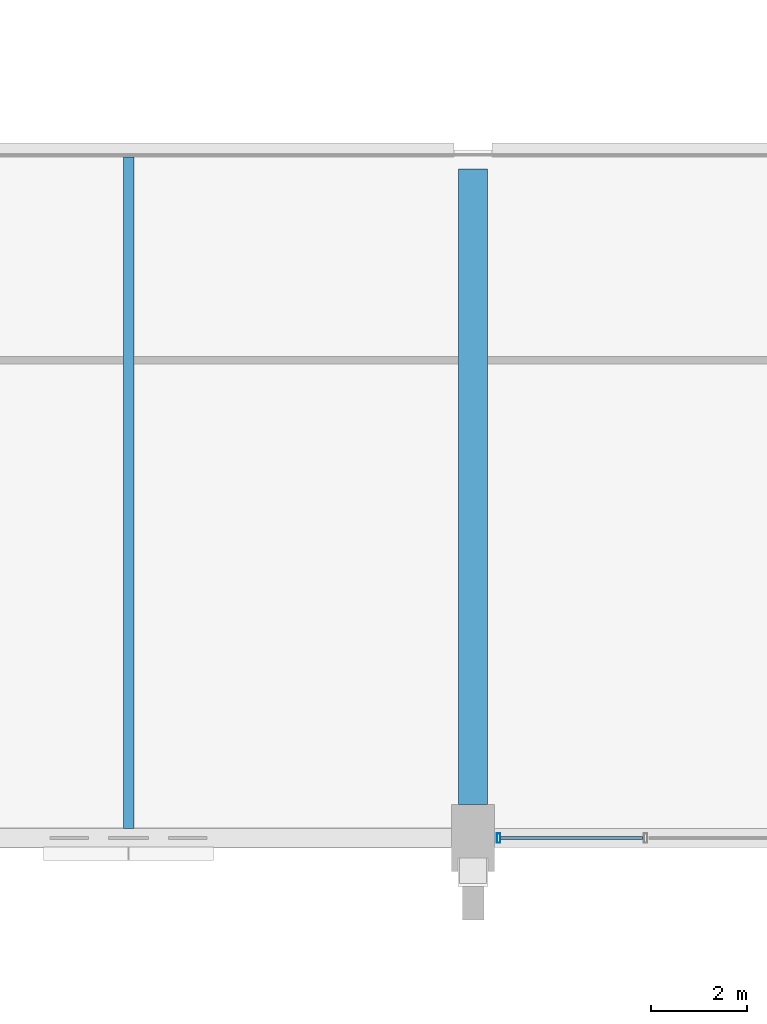
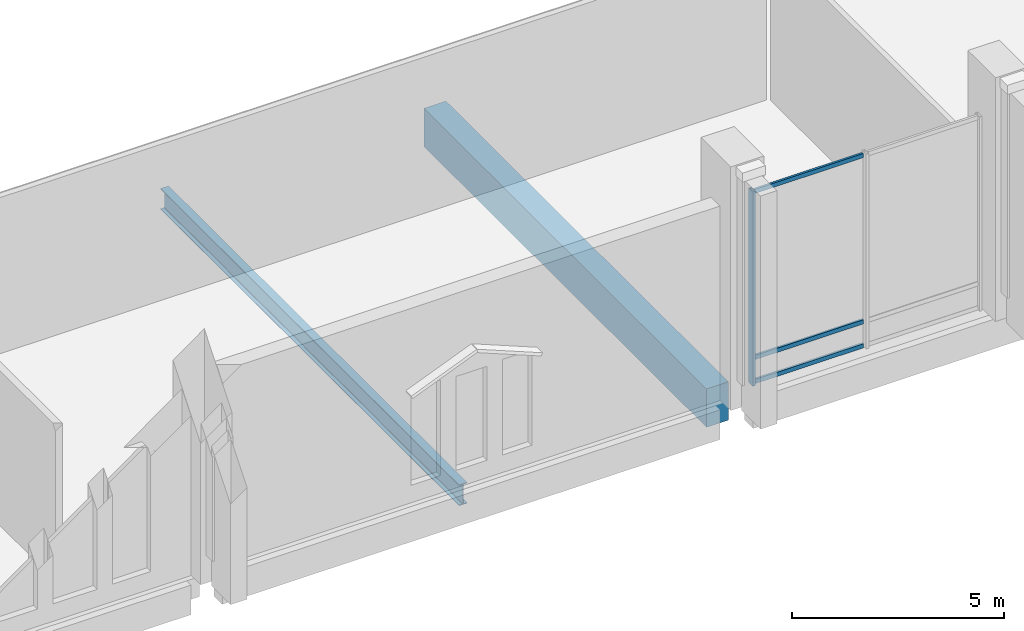
# One storey, part 42 of 220: 4 members, 2 beams, 1 element without a shape of its own.
"""IFC4 building model written with IfcOpenShell, lengths in metres."""

from ifc_helpers import new_model, si_unit, direction, frame, origin, origin_2d, place, context, subcontext, project, spatial, rectangle, hollow_rectangle, i_section, extrude, material, material_profile, profile_set, type_object, element, aggregate, save


model = new_model("IFC4")

# Units and contexts
model_context = context("Model", 3, precision=1e-05, world=origin(), true_north=direction((0.0, 1.0)))
body_context = subcontext(model_context, "Body", "Model", "MODEL_VIEW")
ifc_project = project(units=[si_unit("LENGTHUNIT", "METRE"), si_unit("AREAUNIT", "SQUARE_METRE"), si_unit("VOLUMEUNIT", "CUBIC_METRE"), si_unit("PLANEANGLEUNIT", "RADIAN"), si_unit("MASSUNIT", "GRAM", prefix="KILO")], contexts=[model_context])

# Site, building, storey
site_placement = place(None, origin())
site = spatial("IfcSite", under=ifc_project, at=site_placement, CompositionType="ELEMENT")
building_placement = place(site_placement, origin())
building = spatial("IfcBuilding", under=site, at=building_placement, Name="Cendralis Lancet Convention Centre", CompositionType="ELEMENT")
storey_placement = place(building_placement, frame((0.0, 0.0, 5.39990234375)))
storey = spatial("IfcBuildingStorey", under=building, at=storey_placement, Name="L01", CompositionType="ELEMENT", Elevation=5.39990234375)

# Curtain wall, members
ifc_material_1 = material(Name="Anodised bronze architectural aluminium", Category="aluminium")
curtain_wall_type = type_object("IfcCurtainWallType", Name="ARC-CW-CL02", PredefinedType="USERDEFINED", material=ifc_material_1)
curtain_wall_placement = place(storey_placement, origin())
curtain_wall = element("IfcCurtainWall", 1, at=curtain_wall_placement, inside=storey, type_object=curtain_wall_type, Name="L01 Curtain Wall CW-CL2 #098", ObjectType="CURTAIN WALL", PredefinedType="USERDEFINED")
ifc_material_profile_1 = material_profile(ifc_material_1, hollow_rectangle(XDim=0.070068359375, YDim=0.199951171875, WallThickness=0.0048828125, at=origin_2d()), Name="AL-MULL 70x200x5.0")
ifc_profile_set_1 = profile_set([ifc_material_profile_1], Name="Anodised bronze architectural aluminium")
member_type_1 = type_object("IfcMemberType", Name="ARC-CW-ML02", PredefinedType="MULLION", material=ifc_profile_set_1)
member_1_placement = place(storey_placement, frame((94.135009765625, 50.39990234375, 0.0), z_axis=(0.0, 0.0, 1.0), x_axis=(1.0, 0.0, 0.0)))
member_1 = element("IfcMember", 2, at=member_1_placement, type_object=member_type_1, Name="Mullion CW2-CW-CL2-L01-098-M2", PredefinedType="MULLION", context=body_context, shape_type="SweptSolid", body=[
    extrude(hollow_rectangle(XDim=0.070068359375, YDim=0.199951171875, WallThickness=0.0048828125, at=origin_2d()), origin(), (0.0, 0.0, 1.0), 5.585205078125),
])
ifc_material_profile_2 = material_profile(ifc_material_1, hollow_rectangle(XDim=0.06005859375, YDim=0.1201171875, WallThickness=0.00390625, at=origin_2d()), Name="AL-TRAN 60x120x4.0")
ifc_profile_set_2 = profile_set([ifc_material_profile_2], Name="Anodised bronze architectural aluminium")
member_type_2 = type_object("IfcMemberType", Name="ARC-CW-TR01", PredefinedType="USERDEFINED", material=ifc_profile_set_2)
member_2_placement = place(storey_placement, frame((97.142578125, 50.39990234375, 0.06005859375), z_axis=(-1.0, 0.0, 0.0), x_axis=(0.0, -1.0, 0.0)))
member_2 = element("IfcMember", 3, at=member_2_placement, type_object=member_type_2, Name="Transom CW2-CW-CL2-L01-098-T1BOT", ObjectType="TRANSOM", PredefinedType="USERDEFINED", context=body_context, shape_type="SweptSolid", body=[
    extrude(hollow_rectangle(XDim=0.06005859375, YDim=0.1201171875, WallThickness=0.00390625, at=origin_2d()), origin(), (0.0, 0.0, 1.0), 2.97265625),
])
member_3_placement = place(storey_placement, frame((97.142578125, 50.39990234375, 0.75), z_axis=(-1.0, 0.0, 0.0), x_axis=(0.0, -1.0, 0.0)))
member_3 = element("IfcMember", 4, at=member_3_placement, type_object=member_type_2, Name="Transom CW2-CW-CL2-L01-098-T1MID", ObjectType="TRANSOM", PredefinedType="USERDEFINED", context=body_context, shape_type="SweptSolid", body=[
    extrude(hollow_rectangle(XDim=0.06005859375, YDim=0.1201171875, WallThickness=0.00390625, at=origin_2d()), origin(), (0.0, 0.0, 1.0), 2.97265625),
])
member_4_placement = place(storey_placement, frame((97.142578125, 50.39990234375, 5.525146484375), z_axis=(-1.0, 0.0, 0.0), x_axis=(0.0, -1.0, 0.0)))
member_4 = element("IfcMember", 5, at=member_4_placement, type_object=member_type_2, Name="Transom CW2-CW-CL2-L01-098-T1TOP", ObjectType="TRANSOM", PredefinedType="USERDEFINED", context=body_context, shape_type="SweptSolid", body=[
    extrude(hollow_rectangle(XDim=0.06005859375, YDim=0.1201171875, WallThickness=0.00390625, at=origin_2d()), origin(), (0.0, 0.0, 1.0), 2.97265625),
])
aggregate(curtain_wall, [member_1, member_2, member_3, member_4])

# Beams
ifc_material_2 = material(Name="Concrete G40 (C40/50)", Category="concrete")
ifc_material_profile_3 = material_profile(ifc_material_2, rectangle(XDim=0.60009765625, YDim=1.10009765625, at=origin_2d()), Name="RCB 600x1100")
ifc_profile_set_3 = profile_set([ifc_material_profile_3], Name="Concrete G40 (C40/50)")
beam_type_1 = type_object("IfcBeamType", Name="STR-BM-BG02", PredefinedType="BEAM", material=ifc_profile_set_3)
beam_1_placement = place(storey_placement, frame((93.60009765625, 51.10009765625, -0.829833984375), z_axis=(0.0, 1.0, 0.0), x_axis=(-1.0, 0.0, 0.0)))
element("IfcBeam", 6, at=beam_1_placement, inside=storey, type_object=beam_type_1, Name="L01 Beam BG02 #1223", PredefinedType="BEAM", context=body_context, shape_type="SweptSolid", body=[
    extrude(rectangle(XDim=0.60009765625, YDim=1.10009765625, at=origin_2d()), origin(), (0.0, 0.0, 1.0), 13.2998046875),
])
ifc_material_3 = material(Name="Steel S355", Category="steel")
ifc_material_profile_4 = material_profile(ifc_material_3, i_section(OverallWidth=0.219970703125, OverallDepth=0.60009765625, WebThickness=0.011962890625, FlangeThickness=0.01904296875, FilletRadius=0.02392578125, at=origin_2d()), Name="IPE 600")
ifc_profile_set_4 = profile_set([ifc_material_profile_4], Name="Steel S355")
beam_type_2 = type_object("IfcBeamType", Name="STR-JS-BJ04", PredefinedType="JOIST", material=ifc_profile_set_4)
beam_2_placement = place(storey_placement, frame((86.39990234375, 50.60009765625, -0.579833984375), z_axis=(0.0, 1.0, 0.0), x_axis=(-1.0, 0.0, 0.0)))
element("IfcBeam", 7, at=beam_2_placement, inside=storey, type_object=beam_type_2, Name="L01 Beam BJ04 #1232", PredefinedType="JOIST", context=body_context, shape_type="SweptSolid", body=[
    extrude(i_section(OverallWidth=0.219970703125, OverallDepth=0.60009765625, WebThickness=0.011962890625, FlangeThickness=0.01904296875, FilletRadius=0.02392578125, at=origin_2d()), origin(), (0.0, 0.0, 1.0), 14.0498046875),
])

save(model, "model.ifc")
